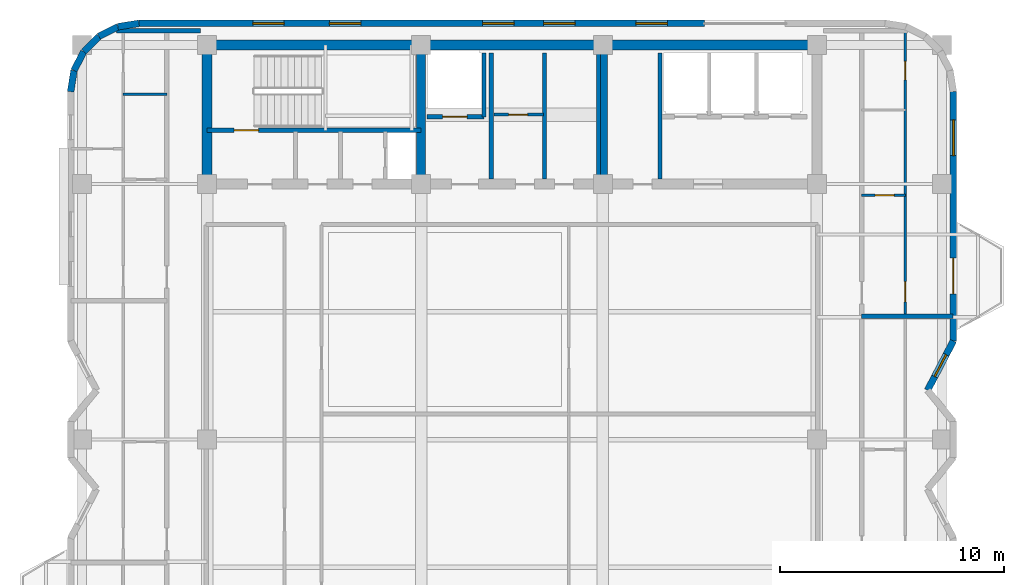
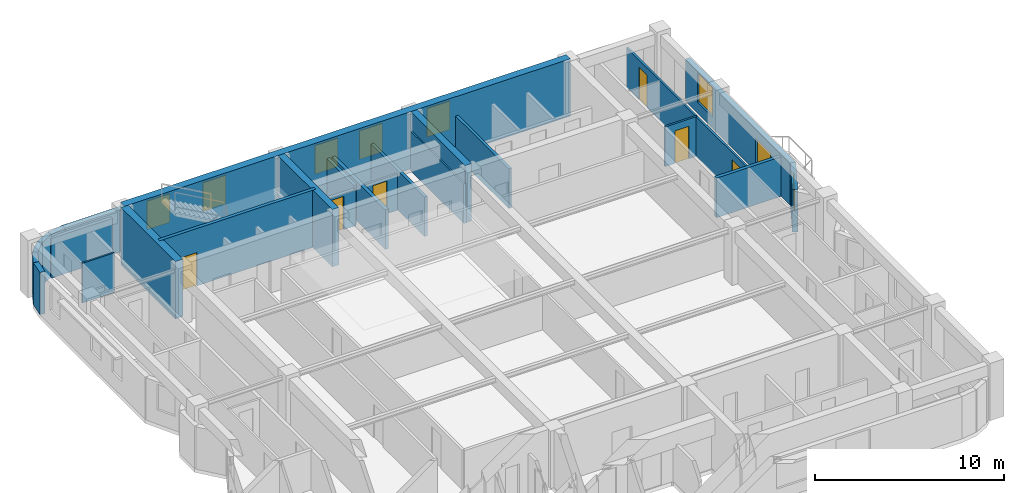
# One storey, part 9 of 12: 25 walls, 7 doors, 7 windows, 14 openings.
"""IFC4 building model written with IfcOpenShell, lengths in metres."""

from ifc_helpers import new_model, si_unit, direction, frame, frame_2d, origin, place, context, subcontext, project, spatial, rectangle, extrude, material, layer, layer_set, type_object, element, fill, save


model = new_model("IFC4")

# Units and contexts
model_context = context("Model", 3, precision=1e-05, world=origin(), true_north=direction((0.0, 1.0)))
body_context = subcontext(model_context, "Body", "Model", "MODEL_VIEW")
ifc_project = project(units=[si_unit("LENGTHUNIT", "METRE"), si_unit("AREAUNIT", "SQUARE_METRE"), si_unit("VOLUMEUNIT", "CUBIC_METRE"), si_unit("PLANEANGLEUNIT", "RADIAN"), si_unit("MASSUNIT", "GRAM", prefix="KILO")], contexts=[model_context])

# Site, building, storey
site_placement = place(None, origin())
site = spatial("IfcSite", under=ifc_project, at=site_placement, CompositionType="ELEMENT")
building_placement = place(site_placement, origin())
building = spatial("IfcBuilding", under=site, at=building_placement, Name="Svetorya Sky Lyceum", CompositionType="ELEMENT")
storey_placement = place(building_placement, frame((0.0, 0.0, 236.89990234375)))
storey = spatial("IfcBuildingStorey", under=building, at=storey_placement, Name="L59", CompositionType="ELEMENT", Elevation=236.89990234375)

# Walls
ifc_material_1 = material(Name="Concrete C40/50", Category="concrete")
ifc_layer_1 = layer(ifc_material_1, 0.39990234375)
ifc_layer_set_1 = layer_set([ifc_layer_1], Name="Concrete C40/50")
wall_type_1 = type_object("IfcWallType", Name="WL-CORE-400", PredefinedType="SHEAR", material=ifc_layer_set_1)
for number, where, z_axis, x_axis, name in (
    (1, (35.14990234375, 39.824951171875, 0.0), (0.0, 0.0, 1.0), (0.0, 1.0, 0.0), "L59 NC Internal Shear Web WEB1"),
    (2, (43.25, 39.824951171875, 0.0), (0.0, 0.0, 1.0), (0.0, 1.0, 0.0), "L59 NC Internal Shear Web WEB2"),
):
    element("IfcWall", number, at=place(storey_placement, frame(where, z_axis=z_axis, x_axis=x_axis)), inside=storey, type_object=wall_type_1, Name=name, PredefinedType="SHEAR", context=body_context, shape_type="SweptSolid", body=[
        extrude(rectangle(XDim=5.75, YDim=0.39990234375, at=frame_2d((2.875, 0.0))), origin(), (0.0, 0.0, 1.0), 3.7001953125),
    ])
ifc_material_2 = material(Name="Concrete C50/60", Category="concrete")
ifc_layer_2 = layer(ifc_material_2, 0.449951171875)
ifc_layer_set_2 = layer_set([ifc_layer_2], Name="Concrete C50/60")
wall_type_2 = type_object("IfcWallType", Name="WL-CORE-450", PredefinedType="SHEAR", material=ifc_layer_set_2)
wall_1_placement = place(storey_placement, frame((25.60009765625, 45.800048828125, 0.0), z_axis=(0.0, 0.0, 1.0), x_axis=(1.0, 0.0, 0.0)))
element("IfcWall", 3, at=wall_1_placement, inside=storey, type_object=wall_type_2, Name="L59 NC Outer Core Shear Wall", PredefinedType="SHEAR", context=body_context, shape_type="SweptSolid", body=[
    extrude(rectangle(XDim=27.199951171875, YDim=0.449951171875, at=frame_2d((13.60009765625, 0.0))), origin(), (0.0, 0.0, 1.0), 3.7001953125),
])
wall_2_placement = place(storey_placement, frame((25.60009765625, 39.824951171875, 0.0), z_axis=(0.0, 0.0, 1.0), x_axis=(0.0, 1.0, 0.0)))
element("IfcWall", 4, at=wall_2_placement, inside=storey, type_object=wall_type_2, Name="L59 NC West Core Shear Wall", PredefinedType="SHEAR", context=body_context, shape_type="SweptSolid", body=[
    extrude(rectangle(XDim=5.75, YDim=0.449951171875, at=frame_2d((2.875, 0.0))), origin(), (0.0, 0.0, 1.0), 3.7001953125),
])

# Wall, opening, window
ifc_material_3 = material(Name="Putilovo limestone rainscreen on autoclaved cellular masonry", Category="masonry")
ifc_layer_3 = layer(ifc_material_3, 0.300048828125)
ifc_layer_set_3 = layer_set([ifc_layer_3], Name="Putilovo limestone rainscreen on autoclaved cellular masonry")
wall_type_3 = type_object("IfcWallType", Name="WL-EXT-300", PredefinedType="SOLIDWALL", material=ifc_layer_set_3)
wall_3_placement = place(storey_placement, frame((57.739990234375, 30.39990234375, 0.0), z_axis=(0.0, 0.0, 1.0), x_axis=(0.463191013929, 0.88625847506, 0.0)))
wall_3 = element("IfcWall", 5, at=wall_3_placement, inside=storey, type_object=wall_type_3, Name="L59 Limestone Exterior Wall 17M", PredefinedType="SOLIDWALL", context=body_context, shape_type="SweptSolid", body=[
    extrude(rectangle(XDim=2.482666015625, YDim=0.300048828125, at=frame_2d((1.2412109375, 0.0))), origin(), (0.0, 0.0, 1.0), 2.72998046875),
])
opening_1_placement = place(wall_3_placement, frame((0.691162109375, 0.0, 0.919921875)))
opening_1 = element("IfcOpeningElement", 6, at=opening_1_placement, cuts=wall_3, Name="Opening W-R3", PredefinedType="OPENING", context=body_context, shape_type="SweptSolid", body=[
    extrude(rectangle(XDim=1.10009765625, YDim=1.64990234375, at=frame_2d((0.550048828125, 0.824951171875))), frame((0.0, 0.159912109375, 0.0), z_axis=(0.0, -1.0, 0.0), x_axis=(1.0, 0.0, 0.0)), (0.0, 0.0, 1.0), 0.320068359375),
])
ifc_material_4 = material(Name="Thermally broken aluminium frame with triple low-E glazing", Category="aluminium")
window_type_1 = type_object("IfcWindowType", Name="WN-RES-110", PartitioningType="SINGLE_PANEL", PredefinedType="WINDOW", material=ifc_material_4)
window_1_placement = place(opening_1_placement, origin())
window_1 = element("IfcWindow", 7, at=window_1_placement, inside=storey, type_object=window_type_1, Name="L59 Facade Window W-R3.17M.1", OverallHeight=1.64990234375, OverallWidth=1.10009765625, PartitioningType="SINGLE_PANEL", PredefinedType="WINDOW", context=body_context, shape_type="SweptSolid", body=[
    extrude(rectangle(XDim=1.10009765625, YDim=1.64990234375, at=frame_2d((0.550048828125, 0.824951171875))), frame((0.0, 0.030029296875, 0.0), z_axis=(0.0, -1.0, 0.0), x_axis=(1.0, 0.0, 0.0)), (0.0, 0.0, 1.0), 0.06005859375),
])
fill(opening_1, window_1)

# Wall, openings, door, window
wall_4_placement = place(storey_placement, frame((58.889892578125, 32.60009765625, 0.0), z_axis=(0.0, 0.0, 1.0), x_axis=(0.0, 1.0, 0.0)))
wall_4 = element("IfcWall", 8, at=wall_4_placement, inside=storey, type_object=wall_type_3, Name="L59 Limestone Exterior Wall 18M", PredefinedType="SOLIDWALL", context=body_context, shape_type="SweptSolid", body=[
    extrude(rectangle(XDim=11.119873046875, YDim=0.300048828125, at=frame_2d((5.56005859375, 0.0))), origin(), (0.0, 0.0, 1.0), 2.72998046875),
])
opening_2_placement = place(wall_4_placement, frame((2.10009765625, 0.0, 0.0)))
opening_2 = element("IfcOpeningElement", 9, at=opening_2_placement, cuts=wall_4, Name="Opening D-BL1", PredefinedType="OPENING", context=body_context, shape_type="SweptSolid", body=[
    extrude(rectangle(XDim=1.60009765625, YDim=2.10009765625, at=frame_2d((0.800048828125, 1.050048828125))), frame((0.0, 0.159912109375, 0.0), z_axis=(0.0, -1.0, 0.0), x_axis=(1.0, 0.0, 0.0)), (0.0, 0.0, 1.0), 0.320068359375),
])
opening_3_placement = place(wall_4_placement, frame((8.264892578125, 0.0, 0.7099609375)))
opening_3 = element("IfcOpeningElement", 10, at=opening_3_placement, cuts=wall_4, Name="Opening W-R4", PredefinedType="OPENING", context=body_context, shape_type="SweptSolid", body=[
    extrude(rectangle(XDim=1.60009765625, YDim=1.89990234375, at=frame_2d((0.800048828125, 0.949951171875))), frame((0.0, 0.159912109375, 0.0), z_axis=(0.0, -1.0, 0.0), x_axis=(1.0, 0.0, 0.0)), (0.0, 0.0, 1.0), 0.320068359375),
])
ifc_material_5 = material(Name="Insulated glazed aluminium balcony door", Category="aluminium")
door_type_1 = type_object("IfcDoorType", Name="DR-BAL-1600", OperationType="DOUBLE_DOOR_SINGLE_SWING", PredefinedType="DOOR", material=ifc_material_5)
door_1_placement = place(opening_2_placement, origin())
door_1 = element("IfcDoor", 11, at=door_1_placement, inside=storey, type_object=door_type_1, Name="L59 Balcony BAL-E1 Door", OperationType="DOUBLE_DOOR_SINGLE_SWING", OverallHeight=2.10009765625, OverallWidth=1.60009765625, PredefinedType="DOOR", context=body_context, shape_type="SweptSolid", body=[
    extrude(rectangle(XDim=1.60009765625, YDim=2.10009765625, at=frame_2d((0.800048828125, 1.050048828125))), frame((0.0, 0.02490234375, 0.0), z_axis=(0.0, -1.0, 0.0), x_axis=(1.0, 0.0, 0.0)), (0.0, 0.0, 1.0), 0.050048828125),
])
fill(opening_2, door_1)
window_type_2 = type_object("IfcWindowType", Name="WN-RES-160", PartitioningType="DOUBLE_PANEL_VERTICAL", PredefinedType="WINDOW", material=ifc_material_4)
window_2_placement = place(opening_3_placement, origin())
window_2 = element("IfcWindow", 12, at=window_2_placement, inside=storey, type_object=window_type_2, Name="L59 Facade Window W-R4.18M.1", OverallHeight=1.89990234375, OverallWidth=1.60009765625, PartitioningType="SINGLE_PANEL", PredefinedType="WINDOW", context=body_context, shape_type="SweptSolid", body=[
    extrude(rectangle(XDim=1.60009765625, YDim=1.89990234375, at=frame_2d((0.800048828125, 0.949951171875))), frame((0.0, 0.030029296875, 0.0), z_axis=(0.0, -1.0, 0.0), x_axis=(1.0, 0.0, 0.0)), (0.0, 0.0, 1.0), 0.06005859375),
])
fill(opening_3, window_2)

# Wall, openings, windows
wall_5_placement = place(storey_placement, frame((47.7900390625, 46.77001953125, 0.0), z_axis=(0.0, 0.0, 1.0), x_axis=(-1.0, 0.0, 0.0)))
wall_5 = element("IfcWall", 13, at=wall_5_placement, inside=storey, type_object=wall_type_3, Name="L59 Limestone Exterior Wall 24B", PredefinedType="SOLIDWALL", context=body_context, shape_type="SweptSolid", body=[
    extrude(rectangle(XDim=25.22998046875, YDim=0.300048828125, at=frame_2d((12.614990234375, 0.0))), origin(), (0.0, 0.0, 1.0), 2.72998046875),
])
opening_4_placement = place(wall_5_placement, frame((1.6591796875, 0.0, 0.760009765625)))
opening_4 = element("IfcOpeningElement", 14, at=opening_4_placement, cuts=wall_5, Name="Opening W-R2", PredefinedType="OPENING", context=body_context, shape_type="SweptSolid", body=[
    extrude(rectangle(XDim=1.39990234375, YDim=1.85009765625, at=frame_2d((0.699951171875, 0.925048828125))), frame((0.0, 0.159912109375, 0.0), z_axis=(0.0, -1.0, 0.0), x_axis=(1.0, 0.0, 0.0)), (0.0, 0.0, 1.0), 0.320068359375),
])
opening_5_placement = place(wall_5_placement, frame((5.77783203125, 0.0, 0.760009765625)))
opening_5 = element("IfcOpeningElement", 15, at=opening_5_placement, cuts=wall_5, Name="Opening W-R2", PredefinedType="OPENING", context=body_context, shape_type="SweptSolid", body=[
    extrude(rectangle(XDim=1.39990234375, YDim=1.85009765625, at=frame_2d((0.699951171875, 0.925048828125))), frame((0.0, 0.159912109375, 0.0), z_axis=(0.0, -1.0, 0.0), x_axis=(1.0, 0.0, 0.0)), (0.0, 0.0, 1.0), 0.320068359375),
])
opening_6_placement = place(wall_5_placement, frame((8.496337890625, 0.0, 0.760009765625)))
opening_6 = element("IfcOpeningElement", 16, at=opening_6_placement, cuts=wall_5, Name="Opening W-R2", PredefinedType="OPENING", context=body_context, shape_type="SweptSolid", body=[
    extrude(rectangle(XDim=1.39990234375, YDim=1.85009765625, at=frame_2d((0.699951171875, 0.925048828125))), frame((0.0, 0.159912109375, 0.0), z_axis=(0.0, -1.0, 0.0), x_axis=(1.0, 0.0, 0.0)), (0.0, 0.0, 1.0), 0.320068359375),
])
opening_7_placement = place(wall_5_placement, frame((15.33349609375, 0.0, 0.760009765625)))
opening_7 = element("IfcOpeningElement", 17, at=opening_7_placement, cuts=wall_5, Name="Opening W-R2", PredefinedType="OPENING", context=body_context, shape_type="SweptSolid", body=[
    extrude(rectangle(XDim=1.39990234375, YDim=1.85009765625, at=frame_2d((0.699951171875, 0.925048828125))), frame((0.0, 0.159912109375, 0.0), z_axis=(0.0, -1.0, 0.0), x_axis=(1.0, 0.0, 0.0)), (0.0, 0.0, 1.0), 0.320068359375),
])
opening_8_placement = place(wall_5_placement, frame((18.752197265625, 0.0, 0.760009765625)))
opening_8 = element("IfcOpeningElement", 18, at=opening_8_placement, cuts=wall_5, Name="Opening W-R2", PredefinedType="OPENING", context=body_context, shape_type="SweptSolid", body=[
    extrude(rectangle(XDim=1.39990234375, YDim=1.85009765625, at=frame_2d((0.699951171875, 0.925048828125))), frame((0.0, 0.159912109375, 0.0), z_axis=(0.0, -1.0, 0.0), x_axis=(1.0, 0.0, 0.0)), (0.0, 0.0, 1.0), 0.320068359375),
])
window_type_3 = type_object("IfcWindowType", Name="WN-RES-140", PartitioningType="SINGLE_PANEL", PredefinedType="WINDOW", material=ifc_material_4)
window_3_placement = place(opening_4_placement, origin())
window_3 = element("IfcWindow", 19, at=window_3_placement, inside=storey, type_object=window_type_3, Name="L59 Facade Window W-R2.24B.1", OverallHeight=1.85009765625, OverallWidth=1.39990234375, PartitioningType="SINGLE_PANEL", PredefinedType="WINDOW", context=body_context, shape_type="SweptSolid", body=[
    extrude(rectangle(XDim=1.39990234375, YDim=1.85009765625, at=frame_2d((0.699951171875, 0.925048828125))), frame((0.0, 0.030029296875, 0.0), z_axis=(0.0, -1.0, 0.0), x_axis=(1.0, 0.0, 0.0)), (0.0, 0.0, 1.0), 0.06005859375),
])
fill(opening_4, window_3)
window_4_placement = place(opening_5_placement, origin())
window_4 = element("IfcWindow", 20, at=window_4_placement, inside=storey, type_object=window_type_3, Name="L59 Facade Window W-R2.24B.2", OverallHeight=1.85009765625, OverallWidth=1.39990234375, PartitioningType="SINGLE_PANEL", PredefinedType="WINDOW", context=body_context, shape_type="SweptSolid", body=[
    extrude(rectangle(XDim=1.39990234375, YDim=1.85009765625, at=frame_2d((0.699951171875, 0.925048828125))), frame((0.0, 0.030029296875, 0.0), z_axis=(0.0, -1.0, 0.0), x_axis=(1.0, 0.0, 0.0)), (0.0, 0.0, 1.0), 0.06005859375),
])
fill(opening_5, window_4)
window_5_placement = place(opening_6_placement, origin())
window_5 = element("IfcWindow", 21, at=window_5_placement, inside=storey, type_object=window_type_3, Name="L59 Facade Window W-R2.24B.3", OverallHeight=1.85009765625, OverallWidth=1.39990234375, PartitioningType="SINGLE_PANEL", PredefinedType="WINDOW", context=body_context, shape_type="SweptSolid", body=[
    extrude(rectangle(XDim=1.39990234375, YDim=1.85009765625, at=frame_2d((0.699951171875, 0.925048828125))), frame((0.0, 0.030029296875, 0.0), z_axis=(0.0, -1.0, 0.0), x_axis=(1.0, 0.0, 0.0)), (0.0, 0.0, 1.0), 0.06005859375),
])
fill(opening_6, window_5)
window_6_placement = place(opening_7_placement, origin())
window_6 = element("IfcWindow", 22, at=window_6_placement, inside=storey, type_object=window_type_3, Name="L59 Facade Window W-R2.24B.4", OverallHeight=1.85009765625, OverallWidth=1.39990234375, PartitioningType="SINGLE_PANEL", PredefinedType="WINDOW", context=body_context, shape_type="SweptSolid", body=[
    extrude(rectangle(XDim=1.39990234375, YDim=1.85009765625, at=frame_2d((0.699951171875, 0.925048828125))), frame((0.0, 0.030029296875, 0.0), z_axis=(0.0, -1.0, 0.0), x_axis=(1.0, 0.0, 0.0)), (0.0, 0.0, 1.0), 0.06005859375),
])
fill(opening_7, window_6)
window_7_placement = place(opening_8_placement, origin())
window_7 = element("IfcWindow", 23, at=window_7_placement, inside=storey, type_object=window_type_3, Name="L59 Facade Window W-R2.24B.5", OverallHeight=1.85009765625, OverallWidth=1.39990234375, PartitioningType="SINGLE_PANEL", PredefinedType="WINDOW", context=body_context, shape_type="SweptSolid", body=[
    extrude(rectangle(XDim=1.39990234375, YDim=1.85009765625, at=frame_2d((0.699951171875, 0.925048828125))), frame((0.0, 0.030029296875, 0.0), z_axis=(0.0, -1.0, 0.0), x_axis=(1.0, 0.0, 0.0)), (0.0, 0.0, 1.0), 0.06005859375),
])
fill(opening_8, window_7)

# Walls
wall_6_placement = place(storey_placement, frame((22.56005859375, 46.77001953125, 0.0), z_axis=(0.0, 0.0, 1.0), x_axis=(-0.987669453596, -0.156553666304, 0.0)))
element("IfcWall", 24, at=wall_6_placement, inside=storey, type_object=wall_type_3, Name="L59 Limestone Exterior Wall 25M", PredefinedType="SOLIDWALL", context=body_context, shape_type="SweptSolid", body=[
    extrude(rectangle(XDim=0.954345703125, YDim=0.300048828125, at=frame_2d((0.47705078125, 0.0))), origin(), (0.0, 0.0, 1.0), 2.72998046875),
])
wall_7_placement = place(storey_placement, frame((21.617431640625, 46.62060546875, 0.0), z_axis=(0.0, 0.0, 1.0), x_axis=(-0.891023873617, -0.45395644796, 0.0)))
element("IfcWall", 25, at=wall_7_placement, inside=storey, type_object=wall_type_3, Name="L59 Limestone Exterior Wall 26M", PredefinedType="SOLIDWALL", context=body_context, shape_type="SweptSolid", body=[
    extrude(rectangle(XDim=0.9541015625, YDim=0.300048828125, at=frame_2d((0.47705078125, 0.0))), origin(), (0.0, 0.0, 1.0), 2.72998046875),
])
wall_8_placement = place(storey_placement, frame((20.767333984375, 46.1875, 0.0), z_axis=(0.0, 0.0, 1.0), x_axis=(-0.707106781187, -0.707106781187, 0.0)))
element("IfcWall", 26, at=wall_8_placement, inside=storey, type_object=wall_type_3, Name="L59 Limestone Exterior Wall 27M", PredefinedType="SOLIDWALL", context=body_context, shape_type="SweptSolid", body=[
    extrude(rectangle(XDim=0.954345703125, YDim=0.300048828125, at=frame_2d((0.47705078125, 0.0))), origin(), (0.0, 0.0, 1.0), 2.72998046875),
])
wall_9_placement = place(storey_placement, frame((20.092529296875, 45.5126953125, 0.0), z_axis=(0.0, 0.0, 1.0), x_axis=(-0.454159573051, -0.890920356825, 0.0)))
element("IfcWall", 27, at=wall_9_placement, inside=storey, type_object=wall_type_3, Name="L59 Limestone Exterior Wall 28M", PredefinedType="SOLIDWALL", context=body_context, shape_type="SweptSolid", body=[
    extrude(rectangle(XDim=0.9541015625, YDim=0.300048828125, at=frame_2d((0.47705078125, 0.0))), origin(), (0.0, 0.0, 1.0), 2.72998046875),
])
wall_10_placement = place(storey_placement, frame((19.6591796875, 44.66259765625, 0.0), z_axis=(0.0, 0.0, 1.0), x_axis=(-0.156304114255, -0.987708977314, 0.0)))
element("IfcWall", 28, at=wall_10_placement, inside=storey, type_object=wall_type_3, Name="L59 Limestone Exterior Wall 29M", PredefinedType="SOLIDWALL", context=body_context, shape_type="SweptSolid", body=[
    extrude(rectangle(XDim=0.954345703125, YDim=0.300048828125, at=frame_2d((0.47705078125, 0.0))), origin(), (0.0, 0.0, 1.0), 2.72998046875),
])
ifc_material_6 = material(Name="Galvanized stud partition with moisture-resistant board", Category="gypsum")
ifc_layer_4 = layer(ifc_material_6, 0.10009765625)
ifc_layer_set_4 = layer_set([ifc_layer_4], Name="Galvanized stud partition with moisture-resistant board")
wall_type_4 = type_object("IfcWallType", Name="WL-PART-100", PredefinedType="PARTITIONING", material=ifc_layer_set_4)
wall_11_placement = place(storey_placement, frame((21.85009765625, 43.60498046875, 0.0), z_axis=(0.0, 0.0, 1.0), x_axis=(1.0, 0.0, 0.0)))
element("IfcWall", 29, at=wall_11_placement, inside=storey, type_object=wall_type_4, Name="L59 Interior Partition W3-WH2", PredefinedType="PARTITIONING", context=body_context, shape_type="SweptSolid", body=[
    extrude(rectangle(XDim=1.949951171875, YDim=0.10009765625, at=frame_2d((0.97509765625, 0.0))), origin(), (0.0, 0.0, 1.0), 2.56005859375),
])

# Wall, opening, door
ifc_material_7 = material(Name="Twin-stud galvanized framing with double fireboard", Category="gypsum")
ifc_layer_5 = layer(ifc_material_7, 0.1201171875)
ifc_layer_set_5 = layer_set([ifc_layer_5], Name="Twin-stud galvanized framing with double fireboard")
wall_type_5 = type_object("IfcWallType", Name="WL-PART-120", PredefinedType="PARTITIONING", material=ifc_layer_set_5)
wall_12_placement = place(storey_placement, frame((38.39990234375, 42.699951171875, 0.0), z_axis=(0.0, 0.0, 1.0), x_axis=(1.0, 0.0, 0.0)))
wall_12 = element("IfcWall", 30, at=wall_12_placement, inside=storey, type_object=wall_type_5, Name="L59 Interior Partition NC-FPM-H", PredefinedType="PARTITIONING", context=body_context, shape_type="SweptSolid", body=[
    extrude(rectangle(XDim=2.2001953125, YDim=0.1201171875, at=frame_2d((1.10009765625, 0.0))), origin(), (0.0, 0.0, 1.0), 2.330078125),
])
opening_9_placement = place(wall_12_placement, frame((0.64990234375, 0.0, 0.0)))
opening_9 = element("IfcOpeningElement", 31, at=opening_9_placement, cuts=wall_12, Name="Opening D-CWC1", PredefinedType="OPENING", context=body_context, shape_type="SweptSolid", body=[
    extrude(rectangle(XDim=0.85009765625, YDim=2.10009765625, at=frame_2d((0.425048828125, 1.050048828125))), frame((0.0, 0.070068359375, 0.0), z_axis=(0.0, -1.0, 0.0), x_axis=(1.0, 0.0, 0.0)), (0.0, 0.0, 1.0), 0.14013671875),
])
ifc_material_8 = material(Name="Fire-rated galvanized steel core service closet door", Category="steel")
door_type_2 = type_object("IfcDoorType", Name="DR-CWET-850", OperationType="SINGLE_SWING_LEFT", PredefinedType="DOOR", material=ifc_material_8)
door_2_placement = place(opening_9_placement, origin())
door_2 = element("IfcDoor", 32, at=door_2_placement, inside=storey, type_object=door_type_2, Name="L59 Rear IT Closet Door", OperationType="SINGLE_SWING_LEFT", OverallHeight=2.10009765625, OverallWidth=0.85009765625, PredefinedType="DOOR", context=body_context, shape_type="SweptSolid", body=[
    extrude(rectangle(XDim=0.85009765625, YDim=2.10009765625, at=frame_2d((0.425048828125, 1.050048828125))), frame((0.0, 0.02490234375, 0.0), z_axis=(0.0, -1.0, 0.0), x_axis=(1.0, 0.0, 0.0)), (0.0, 0.0, 1.0), 0.050048828125),
])
fill(opening_9, door_2)

wall_13_placement = place(storey_placement, frame((54.800048828125, 39.10009765625, 0.0), z_axis=(0.0, 0.0, 1.0), x_axis=(1.0, 0.0, 0.0)))
wall_13 = element("IfcWall", 33, at=wall_13_placement, inside=storey, type_object=wall_type_5, Name="L59 Interior Partition E3-WH1", PredefinedType="PARTITIONING", context=body_context, shape_type="SweptSolid", body=[
    extrude(rectangle(XDim=1.949951171875, YDim=0.1201171875, at=frame_2d((0.97509765625, 0.0))), origin(), (0.0, 0.0, 1.0), 2.56005859375),
])
opening_10_placement = place(wall_13_placement, frame((0.60009765625, 0.0, 0.0)))
opening_10 = element("IfcOpeningElement", 34, at=opening_10_placement, cuts=wall_13, Name="Opening D-BT1", PredefinedType="OPENING", context=body_context, shape_type="SweptSolid", body=[
    extrude(rectangle(XDim=0.85009765625, YDim=2.10009765625, at=frame_2d((0.425048828125, 1.050048828125))), frame((0.0, 0.070068359375, 0.0), z_axis=(0.0, -1.0, 0.0), x_axis=(1.0, 0.0, 0.0)), (0.0, 0.0, 1.0), 0.14013671875),
])
ifc_material_9 = material(Name="Moisture-resistant laminate bathroom door")
door_type_3 = type_object("IfcDoorType", Name="DR-WET-850", OperationType="SINGLE_SWING_LEFT", PredefinedType="DOOR", material=ifc_material_9)
door_3_placement = place(opening_10_placement, origin())
door_3 = element("IfcDoor", 35, at=door_3_placement, inside=storey, type_object=door_type_3, Name="Apartment E3 Bathroom Door", OperationType="SINGLE_SWING_RIGHT", OverallHeight=2.10009765625, OverallWidth=0.85009765625, PredefinedType="DOOR", context=body_context, shape_type="SweptSolid", body=[
    extrude(rectangle(XDim=0.85009765625, YDim=2.10009765625, at=frame_2d((0.425048828125, 1.050048828125))), frame((0.0, 0.02490234375, 0.0), z_axis=(0.0, -1.0, 0.0), x_axis=(1.0, 0.0, 0.0)), (0.0, 0.0, 1.0), 0.050048828125),
])
fill(opening_10, door_3)

# Wall, openings, doors
wall_14_placement = place(storey_placement, frame((56.75, 33.739990234375, 0.0), z_axis=(0.0, 0.0, 1.0), x_axis=(0.0, 1.0, 0.0)))
wall_14 = element("IfcWall", 36, at=wall_14_placement, inside=storey, type_object=wall_type_5, Name="L59 Interior Partition E3-WV", PredefinedType="PARTITIONING", context=body_context, shape_type="SweptSolid", body=[
    extrude(rectangle(XDim=12.669921875, YDim=0.1201171875, at=frame_2d((6.3349609375, 0.0))), origin(), (0.0, 0.0, 1.0), 2.56005859375),
])
opening_11_placement = place(wall_14_placement, frame((0.610107421875, 0.0, 0.0)))
opening_11 = element("IfcOpeningElement", 37, at=opening_11_placement, cuts=wall_14, Name="Opening D-RM1", PredefinedType="OPENING", context=body_context, shape_type="SweptSolid", body=[
    extrude(rectangle(XDim=0.89990234375, YDim=2.10009765625, at=frame_2d((0.449951171875, 1.050048828125))), frame((0.0, 0.070068359375, 0.0), z_axis=(0.0, -1.0, 0.0), x_axis=(1.0, 0.0, 0.0)), (0.0, 0.0, 1.0), 0.14013671875),
])
opening_12_placement = place(wall_14_placement, frame((10.510009765625, 0.0, 0.0)))
opening_12 = element("IfcOpeningElement", 38, at=opening_12_placement, cuts=wall_14, Name="Opening D-BT2", PredefinedType="OPENING", context=body_context, shape_type="SweptSolid", body=[
    extrude(rectangle(XDim=0.820068359375, YDim=2.080078125, at=frame_2d((0.41015625, 1.0400390625))), frame((0.0, 0.070068359375, 0.0), z_axis=(0.0, -1.0, 0.0), x_axis=(1.0, 0.0, 0.0)), (0.0, 0.0, 1.0), 0.14013671875),
])
ifc_material_10 = material(Name="Lacquered birch veneer internal door")
door_type_4 = type_object("IfcDoorType", Name="DR-INT-900", OperationType="SINGLE_SWING_LEFT", PredefinedType="DOOR", material=ifc_material_10)
door_4_placement = place(opening_11_placement, origin())
door_4 = element("IfcDoor", 39, at=door_4_placement, inside=storey, type_object=door_type_4, Name="Apartment E3 Living Door", OperationType="SINGLE_SWING_LEFT", OverallHeight=2.10009765625, OverallWidth=0.89990234375, PredefinedType="DOOR", context=body_context, shape_type="SweptSolid", body=[
    extrude(rectangle(XDim=0.89990234375, YDim=2.10009765625, at=frame_2d((0.449951171875, 1.050048828125))), frame((0.0, 0.02490234375, 0.0), z_axis=(0.0, -1.0, 0.0), x_axis=(1.0, 0.0, 0.0)), (0.0, 0.0, 1.0), 0.050048828125),
])
fill(opening_11, door_4)
ifc_material_11 = material(Name="Compact moisture-resistant laminate closet door")
door_type_5 = type_object("IfcDoorType", Name="DR-WET-820", OperationType="SINGLE_SWING_LEFT", PredefinedType="DOOR", material=ifc_material_11)
door_5_placement = place(opening_12_placement, origin())
door_5 = element("IfcDoor", 40, at=door_5_placement, inside=storey, type_object=door_type_5, Name="Apartment E3 Study Door", OperationType="SINGLE_SWING_RIGHT", OverallHeight=2.080078125, OverallWidth=0.820068359375, PredefinedType="DOOR", context=body_context, shape_type="SweptSolid", body=[
    extrude(rectangle(XDim=0.820068359375, YDim=2.080078125, at=frame_2d((0.41015625, 1.0400390625))), frame((0.0, 0.02490234375, 0.0), z_axis=(0.0, -1.0, 0.0), x_axis=(1.0, 0.0, 0.0)), (0.0, 0.0, 1.0), 0.050048828125),
])
fill(opening_12, door_5)

# Walls
ifc_material_12 = material(Name="Autoclaved cellular masonry blockwork with fire render", Category="masonry")
ifc_layer_6 = layer(ifc_material_12, 0.175048828125)
ifc_layer_set_6 = layer_set([ifc_layer_6], Name="Autoclaved cellular masonry blockwork with fire render")
wall_type_6 = type_object("IfcWallType", Name="WL-PART-175", PredefinedType="PARTITIONING", material=ifc_layer_set_6)
wall_15_placement = place(storey_placement, frame((37.949951171875, 42.60009765625, 0.0), z_axis=(0.0, 0.0, 1.0), x_axis=(0.0, 1.0, 0.0)))
element("IfcWall", 41, at=wall_15_placement, inside=storey, type_object=wall_type_6, Name="L59 Interior Partition NC-FL1SIDE", PredefinedType="PARTITIONING", context=body_context, shape_type="SweptSolid", body=[
    extrude(rectangle(XDim=2.849853515625, YDim=0.175048828125, at=frame_2d((1.4248046875, 0.0))), origin(), (0.0, 0.0, 1.0), 2.56005859375),
])
for number, where, z_axis, x_axis, name in (
    (42, (43.050048828125, 39.820068359375, 0.0), (0.0, 0.0, 1.0), (0.0, 1.0, 0.0), "L59 Interior Partition NC-FPM-END"),
    (43, (40.64990234375, 39.820068359375, 0.0), (0.0, 0.0, 1.0), (0.0, 1.0, 0.0), "L59 Interior Partition NC-FPM-V"),
    (44, (45.800048828125, 39.820068359375, 0.0), (0.0, 0.0, 1.0), (0.0, 1.0, 0.0), "L59 Interior Partition NC-PM3-FULL"),
):
    element("IfcWall", number, at=place(storey_placement, frame(where, z_axis=z_axis, x_axis=x_axis)), inside=storey, type_object=wall_type_6, Name=name, PredefinedType="PARTITIONING", context=body_context, shape_type="SweptSolid", body=[
        extrude(rectangle(XDim=5.6298828125, YDim=0.175048828125, at=frame_2d((2.81494140625, 0.0))), origin(), (0.0, 0.0, 1.0), 2.56005859375),
    ])

# Wall, opening, door
ifc_material_13 = material(Name="Autoclaved cellular masonry blockwork with gypsum plaster", Category="masonry")
ifc_layer_7 = layer(ifc_material_13, 0.199951171875)
ifc_layer_set_7 = layer_set([ifc_layer_7], Name="Autoclaved cellular masonry blockwork with gypsum plaster")
wall_type_7 = type_object("IfcWallType", Name="WL-PART-200", PredefinedType="PARTITIONING", material=ifc_layer_set_7)
wall_16_placement = place(storey_placement, frame((37.949951171875, 42.60009765625, 0.0), z_axis=(0.0, 0.0, 1.0), x_axis=(-1.0, 0.0, 0.0)))
wall_16 = element("IfcWall", 45, at=wall_16_placement, inside=storey, type_object=wall_type_7, Name="L59 Interior Partition NC-FL1W", PredefinedType="PARTITIONING", context=body_context, shape_type="SweptSolid", body=[
    extrude(rectangle(XDim=2.550048828125, YDim=0.199951171875, at=frame_2d((1.27490234375, 0.0))), origin(), (0.0, 0.0, 1.0), 2.330078125),
])
opening_13_placement = place(wall_16_placement, frame((0.75, 0.0, 0.0)))
opening_13 = element("IfcOpeningElement", 46, at=opening_13_placement, cuts=wall_16, Name="Opening LD-FL", PredefinedType="OPENING", context=body_context, shape_type="SweptSolid", body=[
    extrude(rectangle(XDim=1.10009765625, YDim=2.14990234375, at=frame_2d((0.550048828125, 1.074951171875))), frame((0.0, 0.10986328125, 0.0), z_axis=(0.0, -1.0, 0.0), x_axis=(1.0, 0.0, 0.0)), (0.0, 0.0, 1.0), 0.219970703125),
])
ifc_material_14 = material(Name="Fire-rated stainless AISI 304 firefighting lift landing door")
door_type_6 = type_object("IfcDoorType", Name="DR-LIFT-1100", OperationType="SLIDING_TO_LEFT", PredefinedType="DOOR", material=ifc_material_14)
door_6_placement = place(opening_13_placement, origin())
door_6 = element("IfcDoor", 47, at=door_6_placement, inside=storey, type_object=door_type_6, Name="L59 Firefighting Lift FL1 Landing Door", OperationType="SLIDING_TO_LEFT", OverallHeight=2.14990234375, OverallWidth=1.10009765625, PredefinedType="DOOR", context=body_context, shape_type="SweptSolid", body=[
    extrude(rectangle(XDim=1.10009765625, YDim=2.14990234375, at=frame_2d((0.550048828125, 1.074951171875))), frame((0.0, 0.02490234375, 0.0), z_axis=(0.0, -1.0, 0.0), x_axis=(1.0, 0.0, 0.0)), (0.0, 0.0, 1.0), 0.050048828125),
])
fill(opening_13, door_6)

# Walls
wall_17_placement = place(storey_placement, frame((38.280029296875, 39.820068359375, 0.0), z_axis=(0.0, 0.0, 1.0), x_axis=(0.0, 1.0, 0.0)))
element("IfcWall", 48, at=wall_17_placement, inside=storey, type_object=wall_type_7, Name="L59 Interior Partition NC-FFLDIV", PredefinedType="PARTITIONING", context=body_context, shape_type="SweptSolid", body=[
    extrude(rectangle(XDim=5.6298828125, YDim=0.199951171875, at=frame_2d((2.81494140625, 0.0))), origin(), (0.0, 0.0, 1.0), 2.56005859375),
])
wall_18_placement = place(storey_placement, frame((21.5458984375, 46.449951171875, 0.0), z_axis=(0.0, 0.0, 1.0), x_axis=(1.0, 0.0, 0.0)))
element("IfcWall", 49, at=wall_18_placement, inside=storey, type_object=wall_type_7, Name="L59 Interior Partition W-CAP-N", PredefinedType="PARTITIONING", context=body_context, shape_type="SweptSolid", body=[
    extrude(rectangle(XDim=3.754150390625, YDim=0.199951171875, at=frame_2d((1.876953125, 0.0))), origin(), (0.0, 0.0, 1.0), 2.56005859375),
])
wall_19_placement = place(storey_placement, frame((54.800048828125, 33.699951171875, 0.0), z_axis=(0.0, 0.0, 1.0), x_axis=(1.0, 0.0, 0.0)))
element("IfcWall", 50, at=wall_19_placement, inside=storey, type_object=wall_type_7, Name="L59 Interior Partition E-PARTY-2", PredefinedType="PARTITIONING", context=body_context, shape_type="SweptSolid", body=[
    extrude(rectangle(XDim=4.070068359375, YDim=0.199951171875, at=frame_2d((2.03515625, 0.0))), origin(), (0.0, 0.0, 1.0), 2.56005859375),
])

# Wall, opening, door
ifc_layer_8 = layer(ifc_material_2, 0.199951171875)
ifc_layer_set_8 = layer_set([ifc_layer_8], Name="Concrete C50/60")
wall_type_8 = type_object("IfcWallType", Name="WL-SHW-200", PredefinedType="SHEAR", material=ifc_layer_set_8)
wall_20_placement = place(storey_placement, frame((35.14990234375, 42.0, 0.0), z_axis=(0.0, 0.0, 1.0), x_axis=(-1.0, 0.0, 0.0)))
wall_20 = element("IfcWall", 51, at=wall_20_placement, inside=storey, type_object=wall_type_8, Name="L59 Structural Stair Shaft Wall NC-STW", PredefinedType="SHEAR", context=body_context, shape_type="SweptSolid", body=[
    extrude(rectangle(XDim=9.5498046875, YDim=0.199951171875, at=frame_2d((4.77490234375, 0.0))), origin(), (0.0, 0.0, 1.0), 3.7001953125),
])
opening_14_placement = place(wall_20_placement, frame((7.25, 0.0, 0.0)))
opening_14 = element("IfcOpeningElement", 52, at=opening_14_placement, cuts=wall_20, Name="Opening D-ST1", PredefinedType="OPENING", context=body_context, shape_type="SweptSolid", body=[
    extrude(rectangle(XDim=1.10009765625, YDim=2.14990234375, at=frame_2d((0.550048828125, 1.074951171875))), frame((0.0, 0.10986328125, 0.0), z_axis=(0.0, -1.0, 0.0), x_axis=(1.0, 0.0, 0.0)), (0.0, 0.0, 1.0), 0.219970703125),
])
ifc_material_15 = material(Name="Powder-coated insulated galvanized stair fire door")
door_type_7 = type_object("IfcDoorType", Name="DR-FIRE-1100", OperationType="SINGLE_SWING_LEFT", PredefinedType="DOOR", material=ifc_material_15)
door_7_placement = place(opening_14_placement, origin())
door_7 = element("IfcDoor", 53, at=door_7_placement, inside=storey, type_object=door_type_7, Name="L59 Stair ST-N Vestibule Fire Door", OperationType="SINGLE_SWING_RIGHT", OverallHeight=2.14990234375, OverallWidth=1.10009765625, PredefinedType="DOOR", context=body_context, shape_type="SweptSolid", body=[
    extrude(rectangle(XDim=1.10009765625, YDim=2.14990234375, at=frame_2d((0.550048828125, 1.074951171875))), frame((0.0, 0.02490234375, 0.0), z_axis=(0.0, -1.0, 0.0), x_axis=(1.0, 0.0, 0.0)), (0.0, 0.0, 1.0), 0.050048828125),
])
fill(opening_14, door_7)

save(model, "model.ifc")
